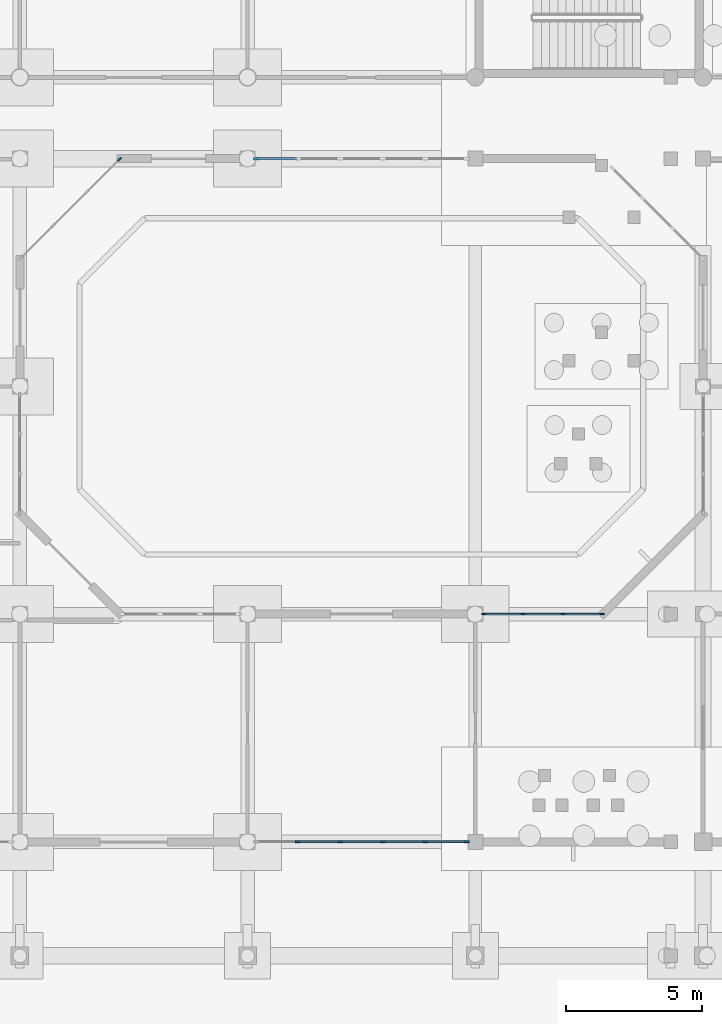
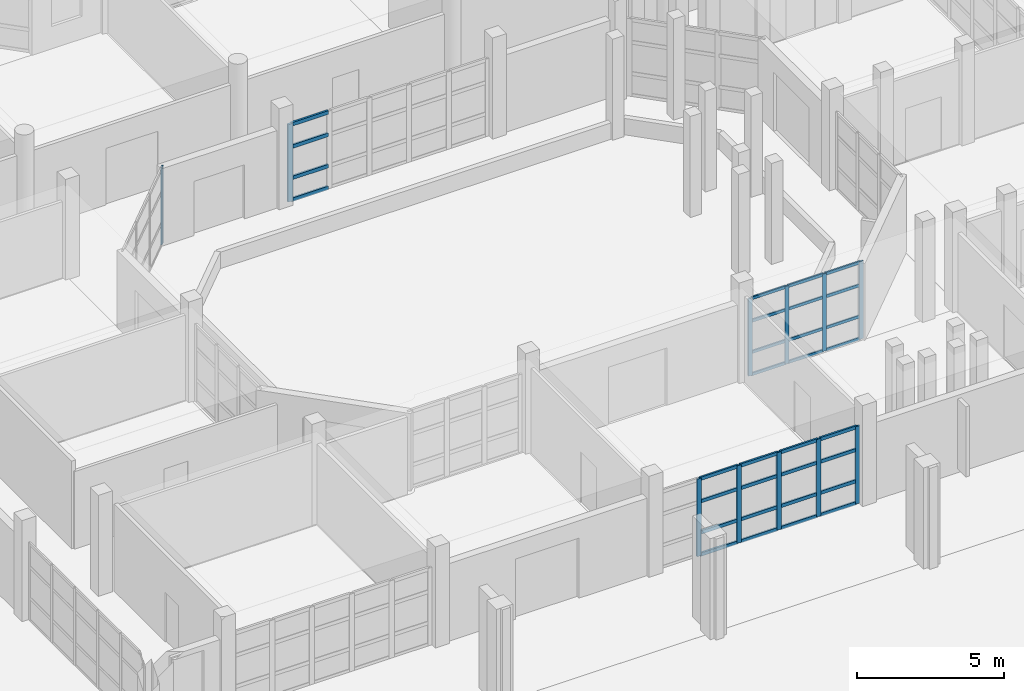
# One storey, part 22 of 88: 43 members, 4 elements without a shape of their own.
"""IFC4 building model written with IfcOpenShell, lengths in metres."""

from ifc_helpers import new_model, si_unit, direction, frame, origin, origin_2d, place, context, subcontext, project, spatial, rectangle, extrude, material, material_profile, profile_set, type_object, element, aggregate, save


model = new_model("IFC4")

# Units and contexts
model_context = context("Model", 3, precision=1e-05, world=origin(), true_north=direction((0.0, 1.0)))
body_context = subcontext(model_context, "Body", "Model", "MODEL_VIEW")
ifc_project = project(units=[si_unit("LENGTHUNIT", "METRE"), si_unit("AREAUNIT", "SQUARE_METRE"), si_unit("VOLUMEUNIT", "CUBIC_METRE"), si_unit("PLANEANGLEUNIT", "RADIAN"), si_unit("MASSUNIT", "GRAM", prefix="KILO")], contexts=[model_context])

# Site, building, storey
site_placement = place(None, origin())
site = spatial("IfcSite", under=ifc_project, at=site_placement, CompositionType="ELEMENT")
building_placement = place(site_placement, origin())
building = spatial("IfcBuilding", under=site, at=building_placement, Name="Vanh Quang Courtyard School", CompositionType="ELEMENT")
storey_placement = place(building_placement, origin())
storey = spatial("IfcBuildingStorey", under=building, at=storey_placement, Name="L00", CompositionType="ELEMENT", Elevation=0.0)

# Curtain wall, member
ifc_material_1 = material(Name="Thermally broken aluminium unitised curtain wall", Category="aluminium")
curtain_wall_type_1 = type_object("IfcCurtainWallType", Name="CW-SYS-09", PredefinedType="NOTDEFINED", material=ifc_material_1)
curtain_wall_1_placement = place(storey_placement, origin())
curtain_wall_1 = element("IfcCurtainWall", 1, at=curtain_wall_1_placement, inside=storey, type_object=curtain_wall_type_1, Name="Curtain Wall CW-09 (L00)", PredefinedType="NOTDEFINED")
ifc_material_2 = material(Name="Anodised aluminium 6063-T6", Category="aluminium")
ifc_material_profile_1 = material_profile(ifc_material_2, rectangle(XDim=0.06005859375, YDim=0.159912109375, at=origin_2d()), Name="ALU-MUL 60x160")
ifc_profile_set_1 = profile_set([ifc_material_profile_1], Name="Anodised aluminium 6063-T6")
member_type_1 = type_object("IfcMemberType", Name="CW-MUL-60x160", PredefinedType="MULLION", material=ifc_profile_set_1)
member_1_placement = place(storey_placement, frame((89.474853515625, 29.37890625, 0.0), z_axis=(0.0, 0.0, 1.0), x_axis=(0.707106781187, -0.707106781187, 0.0)))
member_1 = element("IfcMember", 2, at=member_1_placement, type_object=member_type_1, Name="CW-09 mullion 1", PredefinedType="MULLION", context=body_context, shape_type="SweptSolid", body=[
    extrude(rectangle(XDim=0.06005859375, YDim=0.159912109375, at=origin_2d()), origin(), (0.0, 0.0, 1.0), 3.219970703125),
])
aggregate(curtain_wall_1, [member_1])

# Curtain wall, members
curtain_wall_type_2 = type_object("IfcCurtainWallType", Name="CW-SYS-10", PredefinedType="NOTDEFINED", material=ifc_material_1)
curtain_wall_2_placement = place(storey_placement, origin())
curtain_wall_2 = element("IfcCurtainWall", 3, at=curtain_wall_2_placement, inside=storey, type_object=curtain_wall_type_2, Name="Curtain Wall CW-10 (L00)", PredefinedType="NOTDEFINED")
member_2_placement = place(storey_placement, frame((102.9130859375, 12.60009765625, 0.0), z_axis=(0.0, 0.0, 1.0), x_axis=(0.0, 1.0, 0.0)))
member_2 = element("IfcMember", 4, at=member_2_placement, type_object=member_type_1, Name="CW-10 mullion 1", PredefinedType="MULLION", context=body_context, shape_type="SweptSolid", body=[
    extrude(rectangle(XDim=0.06005859375, YDim=0.159912109375, at=origin_2d()), origin(), (0.0, 0.0, 1.0), 3.219970703125),
])
member_3_placement = place(storey_placement, frame((104.356689453125, 12.60009765625, 0.0), z_axis=(0.0, 0.0, 1.0), x_axis=(0.0, 1.0, 0.0)))
member_3 = element("IfcMember", 5, at=member_3_placement, type_object=member_type_1, Name="CW-10 mullion 2", PredefinedType="MULLION", context=body_context, shape_type="SweptSolid", body=[
    extrude(rectangle(XDim=0.06005859375, YDim=0.159912109375, at=origin_2d()), origin(), (0.0, 0.0, 1.0), 3.219970703125),
])
member_4_placement = place(storey_placement, frame((105.830322265625, 12.60009765625, 0.0), z_axis=(0.0, 0.0, 1.0), x_axis=(0.0, 1.0, 0.0)))
member_4 = element("IfcMember", 6, at=member_4_placement, type_object=member_type_1, Name="CW-10 mullion 3", PredefinedType="MULLION", context=body_context, shape_type="SweptSolid", body=[
    extrude(rectangle(XDim=0.06005859375, YDim=0.159912109375, at=origin_2d()), origin(), (0.0, 0.0, 1.0), 3.219970703125),
])
member_5_placement = place(storey_placement, frame((107.27392578125, 12.60009765625, 0.0), z_axis=(0.0, 0.0, 1.0), x_axis=(0.0, 1.0, 0.0)))
member_5 = element("IfcMember", 7, at=member_5_placement, type_object=member_type_1, Name="CW-10 mullion 4", PredefinedType="MULLION", context=body_context, shape_type="SweptSolid", body=[
    extrude(rectangle(XDim=0.06005859375, YDim=0.159912109375, at=origin_2d()), origin(), (0.0, 0.0, 1.0), 3.219970703125),
])

curtain_wall_type_3 = type_object("IfcCurtainWallType", Name="CW-SYS-01", PredefinedType="NOTDEFINED", material=ifc_material_1)
curtain_wall_3_placement = place(storey_placement, origin())
curtain_wall_3 = element("IfcCurtainWall", 8, at=curtain_wall_3_placement, inside=storey, type_object=curtain_wall_type_3, Name="Curtain Wall CW-01 (L00)", PredefinedType="NOTDEFINED")
ifc_material_profile_2 = material_profile(ifc_material_2, rectangle(XDim=0.070068359375, YDim=0.179931640625, at=origin_2d()), Name="ALU-MUL 70x180")
ifc_profile_set_2 = profile_set([ifc_material_profile_2], Name="Anodised aluminium 6063-T6")
member_type_2 = type_object("IfcMemberType", Name="CW-MUL-70x180", PredefinedType="MULLION", material=ifc_profile_set_2)
member_6_placement = place(storey_placement, frame((102.281982421875, 4.199951171875, 0.0), z_axis=(0.0, 0.0, 1.0), x_axis=(0.0, -1.0, 0.0)))
member_6 = element("IfcMember", 9, at=member_6_placement, type_object=member_type_2, Name="CW-01 mullion 1", PredefinedType="MULLION", context=body_context, shape_type="SweptSolid", body=[
    extrude(rectangle(XDim=0.070068359375, YDim=0.179931640625, at=origin_2d()), origin(), (0.0, 0.0, 1.0), 3.219970703125),
])
member_7_placement = place(storey_placement, frame((100.750244140625, 4.199951171875, 0.0), z_axis=(0.0, 0.0, 1.0), x_axis=(0.0, -1.0, 0.0)))
member_7 = element("IfcMember", 10, at=member_7_placement, type_object=member_type_2, Name="CW-01 mullion 2", PredefinedType="MULLION", context=body_context, shape_type="SweptSolid", body=[
    extrude(rectangle(XDim=0.070068359375, YDim=0.179931640625, at=origin_2d()), origin(), (0.0, 0.0, 1.0), 3.219970703125),
])
member_8_placement = place(storey_placement, frame((99.183349609375, 4.199951171875, 0.0), z_axis=(0.0, 0.0, 1.0), x_axis=(0.0, -1.0, 0.0)))
member_8 = element("IfcMember", 11, at=member_8_placement, type_object=member_type_2, Name="CW-01 mullion 3", PredefinedType="MULLION", context=body_context, shape_type="SweptSolid", body=[
    extrude(rectangle(XDim=0.070068359375, YDim=0.179931640625, at=origin_2d()), origin(), (0.0, 0.0, 1.0), 3.219970703125),
])
member_9_placement = place(storey_placement, frame((97.61669921875, 4.199951171875, 0.0), z_axis=(0.0, 0.0, 1.0), x_axis=(0.0, -1.0, 0.0)))
member_9 = element("IfcMember", 12, at=member_9_placement, type_object=member_type_2, Name="CW-01 mullion 4", PredefinedType="MULLION", context=body_context, shape_type="SweptSolid", body=[
    extrude(rectangle(XDim=0.070068359375, YDim=0.179931640625, at=origin_2d()), origin(), (0.0, 0.0, 1.0), 3.219970703125),
])
member_10_placement = place(storey_placement, frame((96.0498046875, 4.199951171875, 0.0), z_axis=(0.0, 0.0, 1.0), x_axis=(0.0, -1.0, 0.0)))
member_10 = element("IfcMember", 13, at=member_10_placement, type_object=member_type_2, Name="CW-01 mullion 5", PredefinedType="MULLION", context=body_context, shape_type="SweptSolid", body=[
    extrude(rectangle(XDim=0.070068359375, YDim=0.179931640625, at=origin_2d()), origin(), (0.0, 0.0, 1.0), 3.219970703125),
])

# Curtain wall, member
curtain_wall_4_placement = place(storey_placement, origin())
curtain_wall_4 = element("IfcCurtainWall", 14, at=curtain_wall_4_placement, inside=storey, type_object=curtain_wall_type_3, Name="Curtain Wall CW-01 (L00)", PredefinedType="NOTDEFINED")
ifc_material_profile_3 = material_profile(ifc_material_2, rectangle(XDim=0.080078125, YDim=0.199951171875, at=origin_2d()), Name="ALU-MUL 80x200")
ifc_profile_set_3 = profile_set([ifc_material_profile_3], Name="Anodised aluminium 6063-T6")
member_type_3 = type_object("IfcMemberType", Name="CW-MUL-80x200", PredefinedType="MULLION", material=ifc_profile_set_3)
member_11_placement = place(storey_placement, frame((94.52294921875, 29.39990234375, 0.0), z_axis=(0.0, 0.0, 1.0), x_axis=(0.0, -1.0, 0.0)))
member_11 = element("IfcMember", 15, at=member_11_placement, type_object=member_type_3, Name="CW-01 mullion 6", PredefinedType="MULLION", context=body_context, shape_type="SweptSolid", body=[
    extrude(rectangle(XDim=0.080078125, YDim=0.199951171875, at=origin_2d()), origin(), (0.0, 0.0, 1.0), 3.219970703125),
])

# Member
ifc_material_profile_4 = material_profile(ifc_material_2, rectangle(XDim=0.06005859375, YDim=0.1201171875, at=origin_2d()), Name="ALU-TRN 60x120")
ifc_profile_set_4 = profile_set([ifc_material_profile_4], Name="Anodised aluminium 6063-T6")
member_type_4 = type_object("IfcMemberType", Name="CW-TRN-60x120", PredefinedType="USERDEFINED", material=ifc_profile_set_4)
member_12_placement = place(storey_placement, frame((102.943115234375, 12.60009765625, 0.030029296875), z_axis=(1.0, 0.0, 0.0), x_axis=(0.0, 1.0, 0.0)))
member_12 = element("IfcMember", 16, at=member_12_placement, type_object=member_type_4, Name="CW-10 transom 1.1", ObjectType="TRANSOM", PredefinedType="USERDEFINED", context=body_context, shape_type="SweptSolid", body=[
    extrude(rectangle(XDim=0.06005859375, YDim=0.1201171875, at=origin_2d()), origin(), (0.0, 0.0, 1.0), 1.383544921875),
])

member_13_placement = place(storey_placement, frame((102.943115234375, 12.60009765625, 0.949951171875), z_axis=(1.0, 0.0, 0.0), x_axis=(0.0, 1.0, 0.0)))
member_13 = element("IfcMember", 17, at=member_13_placement, type_object=member_type_4, Name="CW-10 transom 1.2", ObjectType="TRANSOM", PredefinedType="USERDEFINED", context=body_context, shape_type="SweptSolid", body=[
    extrude(rectangle(XDim=0.06005859375, YDim=0.1201171875, at=origin_2d()), origin(), (0.0, 0.0, 1.0), 1.383544921875),
])

member_14_placement = place(storey_placement, frame((102.943115234375, 12.60009765625, 2.25), z_axis=(1.0, 0.0, 0.0), x_axis=(0.0, 1.0, 0.0)))
member_14 = element("IfcMember", 18, at=member_14_placement, type_object=member_type_4, Name="CW-10 transom 1.3", ObjectType="TRANSOM", PredefinedType="USERDEFINED", context=body_context, shape_type="SweptSolid", body=[
    extrude(rectangle(XDim=0.06005859375, YDim=0.1201171875, at=origin_2d()), origin(), (0.0, 0.0, 1.0), 1.383544921875),
])

member_15_placement = place(storey_placement, frame((102.943115234375, 12.60009765625, 3.18994140625), z_axis=(1.0, 0.0, 0.0), x_axis=(0.0, 1.0, 0.0)))
member_15 = element("IfcMember", 19, at=member_15_placement, type_object=member_type_4, Name="CW-10 transom 1.4", ObjectType="TRANSOM", PredefinedType="USERDEFINED", context=body_context, shape_type="SweptSolid", body=[
    extrude(rectangle(XDim=0.06005859375, YDim=0.1201171875, at=origin_2d()), origin(), (0.0, 0.0, 1.0), 1.383544921875),
])

member_16_placement = place(storey_placement, frame((104.38671875, 12.60009765625, 0.030029296875), z_axis=(1.0, 0.0, 0.0), x_axis=(0.0, 1.0, 0.0)))
member_16 = element("IfcMember", 20, at=member_16_placement, type_object=member_type_4, Name="CW-10 transom 2.1", ObjectType="TRANSOM", PredefinedType="USERDEFINED", context=body_context, shape_type="SweptSolid", body=[
    extrude(rectangle(XDim=0.06005859375, YDim=0.1201171875, at=origin_2d()), origin(), (0.0, 0.0, 1.0), 1.41357421875),
])

member_17_placement = place(storey_placement, frame((104.38671875, 12.60009765625, 0.949951171875), z_axis=(1.0, 0.0, 0.0), x_axis=(0.0, 1.0, 0.0)))
member_17 = element("IfcMember", 21, at=member_17_placement, type_object=member_type_4, Name="CW-10 transom 2.2", ObjectType="TRANSOM", PredefinedType="USERDEFINED", context=body_context, shape_type="SweptSolid", body=[
    extrude(rectangle(XDim=0.06005859375, YDim=0.1201171875, at=origin_2d()), origin(), (0.0, 0.0, 1.0), 1.41357421875),
])

member_18_placement = place(storey_placement, frame((104.38671875, 12.60009765625, 2.25), z_axis=(1.0, 0.0, 0.0), x_axis=(0.0, 1.0, 0.0)))
member_18 = element("IfcMember", 22, at=member_18_placement, type_object=member_type_4, Name="CW-10 transom 2.3", ObjectType="TRANSOM", PredefinedType="USERDEFINED", context=body_context, shape_type="SweptSolid", body=[
    extrude(rectangle(XDim=0.06005859375, YDim=0.1201171875, at=origin_2d()), origin(), (0.0, 0.0, 1.0), 1.41357421875),
])

member_19_placement = place(storey_placement, frame((104.38671875, 12.60009765625, 3.18994140625), z_axis=(1.0, 0.0, 0.0), x_axis=(0.0, 1.0, 0.0)))
member_19 = element("IfcMember", 23, at=member_19_placement, type_object=member_type_4, Name="CW-10 transom 2.4", ObjectType="TRANSOM", PredefinedType="USERDEFINED", context=body_context, shape_type="SweptSolid", body=[
    extrude(rectangle(XDim=0.06005859375, YDim=0.1201171875, at=origin_2d()), origin(), (0.0, 0.0, 1.0), 1.41357421875),
])

member_20_placement = place(storey_placement, frame((105.8603515625, 12.60009765625, 0.030029296875), z_axis=(1.0, 0.0, 0.0), x_axis=(0.0, 1.0, 0.0)))
member_20 = element("IfcMember", 24, at=member_20_placement, type_object=member_type_4, Name="CW-10 transom 3.1", ObjectType="TRANSOM", PredefinedType="USERDEFINED", context=body_context, shape_type="SweptSolid", body=[
    extrude(rectangle(XDim=0.06005859375, YDim=0.1201171875, at=origin_2d()), origin(), (0.0, 0.0, 1.0), 1.383544921875),
])

member_21_placement = place(storey_placement, frame((105.8603515625, 12.60009765625, 0.949951171875), z_axis=(1.0, 0.0, 0.0), x_axis=(0.0, 1.0, 0.0)))
member_21 = element("IfcMember", 25, at=member_21_placement, type_object=member_type_4, Name="CW-10 transom 3.2", ObjectType="TRANSOM", PredefinedType="USERDEFINED", context=body_context, shape_type="SweptSolid", body=[
    extrude(rectangle(XDim=0.06005859375, YDim=0.1201171875, at=origin_2d()), origin(), (0.0, 0.0, 1.0), 1.383544921875),
])

member_22_placement = place(storey_placement, frame((105.8603515625, 12.60009765625, 2.25), z_axis=(1.0, 0.0, 0.0), x_axis=(0.0, 1.0, 0.0)))
member_22 = element("IfcMember", 26, at=member_22_placement, type_object=member_type_4, Name="CW-10 transom 3.3", ObjectType="TRANSOM", PredefinedType="USERDEFINED", context=body_context, shape_type="SweptSolid", body=[
    extrude(rectangle(XDim=0.06005859375, YDim=0.1201171875, at=origin_2d()), origin(), (0.0, 0.0, 1.0), 1.383544921875),
])

member_23_placement = place(storey_placement, frame((105.8603515625, 12.60009765625, 3.18994140625), z_axis=(1.0, 0.0, 0.0), x_axis=(0.0, 1.0, 0.0)))
member_23 = element("IfcMember", 27, at=member_23_placement, type_object=member_type_4, Name="CW-10 transom 3.4", ObjectType="TRANSOM", PredefinedType="USERDEFINED", context=body_context, shape_type="SweptSolid", body=[
    extrude(rectangle(XDim=0.06005859375, YDim=0.1201171875, at=origin_2d()), origin(), (0.0, 0.0, 1.0), 1.383544921875),
])

aggregate(curtain_wall_2, [member_2, member_3, member_4, member_5, member_12, member_13, member_14, member_15, member_16, member_17, member_18, member_19, member_20, member_21, member_22, member_23])

ifc_material_profile_5 = material_profile(ifc_material_2, rectangle(XDim=0.070068359375, YDim=0.139892578125, at=origin_2d()), Name="ALU-TRN 70x140")
ifc_profile_set_5 = profile_set([ifc_material_profile_5], Name="Anodised aluminium 6063-T6")
member_type_5 = type_object("IfcMemberType", Name="CW-TRN-70x140", PredefinedType="USERDEFINED", material=ifc_profile_set_5)
member_24_placement = place(storey_placement, frame((102.2470703125, 4.199951171875, 0.034912109375), z_axis=(-1.0, 0.0, 0.0), x_axis=(0.0, -1.0, 0.0)))
member_24 = element("IfcMember", 28, at=member_24_placement, type_object=member_type_5, Name="CW-01 transom 1.1", ObjectType="TRANSOM", PredefinedType="USERDEFINED", context=body_context, shape_type="SweptSolid", body=[
    extrude(rectangle(XDim=0.070068359375, YDim=0.139892578125, at=origin_2d()), origin(), (0.0, 0.0, 1.0), 1.4619140625),
])

member_25_placement = place(storey_placement, frame((102.2470703125, 4.199951171875, 0.949951171875), z_axis=(-1.0, 0.0, 0.0), x_axis=(0.0, -1.0, 0.0)))
member_25 = element("IfcMember", 29, at=member_25_placement, type_object=member_type_5, Name="CW-01 transom 1.2", ObjectType="TRANSOM", PredefinedType="USERDEFINED", context=body_context, shape_type="SweptSolid", body=[
    extrude(rectangle(XDim=0.070068359375, YDim=0.139892578125, at=origin_2d()), origin(), (0.0, 0.0, 1.0), 1.4619140625),
])

member_26_placement = place(storey_placement, frame((102.2470703125, 4.199951171875, 2.25), z_axis=(-1.0, 0.0, 0.0), x_axis=(0.0, -1.0, 0.0)))
member_26 = element("IfcMember", 30, at=member_26_placement, type_object=member_type_5, Name="CW-01 transom 1.3", ObjectType="TRANSOM", PredefinedType="USERDEFINED", context=body_context, shape_type="SweptSolid", body=[
    extrude(rectangle(XDim=0.070068359375, YDim=0.139892578125, at=origin_2d()), origin(), (0.0, 0.0, 1.0), 1.4619140625),
])

member_27_placement = place(storey_placement, frame((102.2470703125, 4.199951171875, 3.18505859375), z_axis=(-1.0, 0.0, 0.0), x_axis=(0.0, -1.0, 0.0)))
member_27 = element("IfcMember", 31, at=member_27_placement, type_object=member_type_5, Name="CW-01 transom 1.4", ObjectType="TRANSOM", PredefinedType="USERDEFINED", context=body_context, shape_type="SweptSolid", body=[
    extrude(rectangle(XDim=0.070068359375, YDim=0.139892578125, at=origin_2d()), origin(), (0.0, 0.0, 1.0), 1.4619140625),
])

member_28_placement = place(storey_placement, frame((100.715087890625, 4.199951171875, 0.034912109375), z_axis=(-1.0, 0.0, 0.0), x_axis=(0.0, -1.0, 0.0)))
member_28 = element("IfcMember", 32, at=member_28_placement, type_object=member_type_5, Name="CW-01 transom 2.1", ObjectType="TRANSOM", PredefinedType="USERDEFINED", context=body_context, shape_type="SweptSolid", body=[
    extrude(rectangle(XDim=0.070068359375, YDim=0.139892578125, at=origin_2d()), origin(), (0.0, 0.0, 1.0), 1.49658203125),
])

member_29_placement = place(storey_placement, frame((100.715087890625, 4.199951171875, 0.949951171875), z_axis=(-1.0, 0.0, 0.0), x_axis=(0.0, -1.0, 0.0)))
member_29 = element("IfcMember", 33, at=member_29_placement, type_object=member_type_5, Name="CW-01 transom 2.2", ObjectType="TRANSOM", PredefinedType="USERDEFINED", context=body_context, shape_type="SweptSolid", body=[
    extrude(rectangle(XDim=0.070068359375, YDim=0.139892578125, at=origin_2d()), origin(), (0.0, 0.0, 1.0), 1.49658203125),
])

member_30_placement = place(storey_placement, frame((100.715087890625, 4.199951171875, 2.25), z_axis=(-1.0, 0.0, 0.0), x_axis=(0.0, -1.0, 0.0)))
member_30 = element("IfcMember", 34, at=member_30_placement, type_object=member_type_5, Name="CW-01 transom 2.3", ObjectType="TRANSOM", PredefinedType="USERDEFINED", context=body_context, shape_type="SweptSolid", body=[
    extrude(rectangle(XDim=0.070068359375, YDim=0.139892578125, at=origin_2d()), origin(), (0.0, 0.0, 1.0), 1.49658203125),
])

member_31_placement = place(storey_placement, frame((100.715087890625, 4.199951171875, 3.18505859375), z_axis=(-1.0, 0.0, 0.0), x_axis=(0.0, -1.0, 0.0)))
member_31 = element("IfcMember", 35, at=member_31_placement, type_object=member_type_5, Name="CW-01 transom 2.4", ObjectType="TRANSOM", PredefinedType="USERDEFINED", context=body_context, shape_type="SweptSolid", body=[
    extrude(rectangle(XDim=0.070068359375, YDim=0.139892578125, at=origin_2d()), origin(), (0.0, 0.0, 1.0), 1.49658203125),
])

member_32_placement = place(storey_placement, frame((99.1484375, 4.199951171875, 0.034912109375), z_axis=(-1.0, 0.0, 0.0), x_axis=(0.0, -1.0, 0.0)))
member_32 = element("IfcMember", 36, at=member_32_placement, type_object=member_type_5, Name="CW-01 transom 3.1", ObjectType="TRANSOM", PredefinedType="USERDEFINED", context=body_context, shape_type="SweptSolid", body=[
    extrude(rectangle(XDim=0.070068359375, YDim=0.139892578125, at=origin_2d()), origin(), (0.0, 0.0, 1.0), 1.496826171875),
])

member_33_placement = place(storey_placement, frame((99.1484375, 4.199951171875, 0.949951171875), z_axis=(-1.0, 0.0, 0.0), x_axis=(0.0, -1.0, 0.0)))
member_33 = element("IfcMember", 37, at=member_33_placement, type_object=member_type_5, Name="CW-01 transom 3.2", ObjectType="TRANSOM", PredefinedType="USERDEFINED", context=body_context, shape_type="SweptSolid", body=[
    extrude(rectangle(XDim=0.070068359375, YDim=0.139892578125, at=origin_2d()), origin(), (0.0, 0.0, 1.0), 1.496826171875),
])

member_34_placement = place(storey_placement, frame((99.1484375, 4.199951171875, 2.25), z_axis=(-1.0, 0.0, 0.0), x_axis=(0.0, -1.0, 0.0)))
member_34 = element("IfcMember", 38, at=member_34_placement, type_object=member_type_5, Name="CW-01 transom 3.3", ObjectType="TRANSOM", PredefinedType="USERDEFINED", context=body_context, shape_type="SweptSolid", body=[
    extrude(rectangle(XDim=0.070068359375, YDim=0.139892578125, at=origin_2d()), origin(), (0.0, 0.0, 1.0), 1.496826171875),
])

member_35_placement = place(storey_placement, frame((99.1484375, 4.199951171875, 3.18505859375), z_axis=(-1.0, 0.0, 0.0), x_axis=(0.0, -1.0, 0.0)))
member_35 = element("IfcMember", 39, at=member_35_placement, type_object=member_type_5, Name="CW-01 transom 3.4", ObjectType="TRANSOM", PredefinedType="USERDEFINED", context=body_context, shape_type="SweptSolid", body=[
    extrude(rectangle(XDim=0.070068359375, YDim=0.139892578125, at=origin_2d()), origin(), (0.0, 0.0, 1.0), 1.496826171875),
])

member_36_placement = place(storey_placement, frame((97.58154296875, 4.199951171875, 0.034912109375), z_axis=(-1.0, 0.0, 0.0), x_axis=(0.0, -1.0, 0.0)))
member_36 = element("IfcMember", 40, at=member_36_placement, type_object=member_type_5, Name="CW-01 transom 4.1", ObjectType="TRANSOM", PredefinedType="USERDEFINED", context=body_context, shape_type="SweptSolid", body=[
    extrude(rectangle(XDim=0.070068359375, YDim=0.139892578125, at=origin_2d()), origin(), (0.0, 0.0, 1.0), 1.496826171875),
])

member_37_placement = place(storey_placement, frame((97.58154296875, 4.199951171875, 0.949951171875), z_axis=(-1.0, 0.0, 0.0), x_axis=(0.0, -1.0, 0.0)))
member_37 = element("IfcMember", 41, at=member_37_placement, type_object=member_type_5, Name="CW-01 transom 4.2", ObjectType="TRANSOM", PredefinedType="USERDEFINED", context=body_context, shape_type="SweptSolid", body=[
    extrude(rectangle(XDim=0.070068359375, YDim=0.139892578125, at=origin_2d()), origin(), (0.0, 0.0, 1.0), 1.496826171875),
])

member_38_placement = place(storey_placement, frame((97.58154296875, 4.199951171875, 2.25), z_axis=(-1.0, 0.0, 0.0), x_axis=(0.0, -1.0, 0.0)))
member_38 = element("IfcMember", 42, at=member_38_placement, type_object=member_type_5, Name="CW-01 transom 4.3", ObjectType="TRANSOM", PredefinedType="USERDEFINED", context=body_context, shape_type="SweptSolid", body=[
    extrude(rectangle(XDim=0.070068359375, YDim=0.139892578125, at=origin_2d()), origin(), (0.0, 0.0, 1.0), 1.496826171875),
])

member_39_placement = place(storey_placement, frame((97.58154296875, 4.199951171875, 3.18505859375), z_axis=(-1.0, 0.0, 0.0), x_axis=(0.0, -1.0, 0.0)))
member_39 = element("IfcMember", 43, at=member_39_placement, type_object=member_type_5, Name="CW-01 transom 4.4", ObjectType="TRANSOM", PredefinedType="USERDEFINED", context=body_context, shape_type="SweptSolid", body=[
    extrude(rectangle(XDim=0.070068359375, YDim=0.139892578125, at=origin_2d()), origin(), (0.0, 0.0, 1.0), 1.496826171875),
])

aggregate(curtain_wall_3, [member_6, member_7, member_8, member_9, member_10, member_24, member_25, member_26, member_27, member_28, member_29, member_30, member_31, member_32, member_33, member_34, member_35, member_36, member_37, member_38, member_39])

ifc_material_profile_6 = material_profile(ifc_material_2, rectangle(XDim=0.080078125, YDim=0.14990234375, at=origin_2d()), Name="ALU-TRN 80x150")
ifc_profile_set_6 = profile_set([ifc_material_profile_6], Name="Anodised aluminium 6063-T6")
member_type_6 = type_object("IfcMemberType", Name="CW-TRN-80x150", PredefinedType="USERDEFINED", material=ifc_profile_set_6)
member_40_placement = place(storey_placement, frame((96.009765625, 29.39990234375, 0.0400390625), z_axis=(-1.0, 0.0, 0.0), x_axis=(0.0, -1.0, 0.0)))
member_40 = element("IfcMember", 44, at=member_40_placement, type_object=member_type_6, Name="CW-01 transom 5.1", ObjectType="TRANSOM", PredefinedType="USERDEFINED", context=body_context, shape_type="SweptSolid", body=[
    extrude(rectangle(XDim=0.080078125, YDim=0.14990234375, at=origin_2d()), origin(), (0.0, 0.0, 1.0), 1.44677734375),
])

member_41_placement = place(storey_placement, frame((96.009765625, 29.39990234375, 0.949951171875), z_axis=(-1.0, 0.0, 0.0), x_axis=(0.0, -1.0, 0.0)))
member_41 = element("IfcMember", 45, at=member_41_placement, type_object=member_type_6, Name="CW-01 transom 5.2", ObjectType="TRANSOM", PredefinedType="USERDEFINED", context=body_context, shape_type="SweptSolid", body=[
    extrude(rectangle(XDim=0.080078125, YDim=0.14990234375, at=origin_2d()), origin(), (0.0, 0.0, 1.0), 1.44677734375),
])

member_42_placement = place(storey_placement, frame((96.009765625, 29.39990234375, 2.25), z_axis=(-1.0, 0.0, 0.0), x_axis=(0.0, -1.0, 0.0)))
member_42 = element("IfcMember", 46, at=member_42_placement, type_object=member_type_6, Name="CW-01 transom 5.3", ObjectType="TRANSOM", PredefinedType="USERDEFINED", context=body_context, shape_type="SweptSolid", body=[
    extrude(rectangle(XDim=0.080078125, YDim=0.14990234375, at=origin_2d()), origin(), (0.0, 0.0, 1.0), 1.44677734375),
])

member_43_placement = place(storey_placement, frame((96.009765625, 29.39990234375, 3.179931640625), z_axis=(-1.0, 0.0, 0.0), x_axis=(0.0, -1.0, 0.0)))
member_43 = element("IfcMember", 47, at=member_43_placement, type_object=member_type_6, Name="CW-01 transom 5.4", ObjectType="TRANSOM", PredefinedType="USERDEFINED", context=body_context, shape_type="SweptSolid", body=[
    extrude(rectangle(XDim=0.080078125, YDim=0.14990234375, at=origin_2d()), origin(), (0.0, 0.0, 1.0), 1.44677734375),
])

aggregate(curtain_wall_4, [member_11, member_40, member_41, member_42, member_43])

save(model, "model.ifc")
